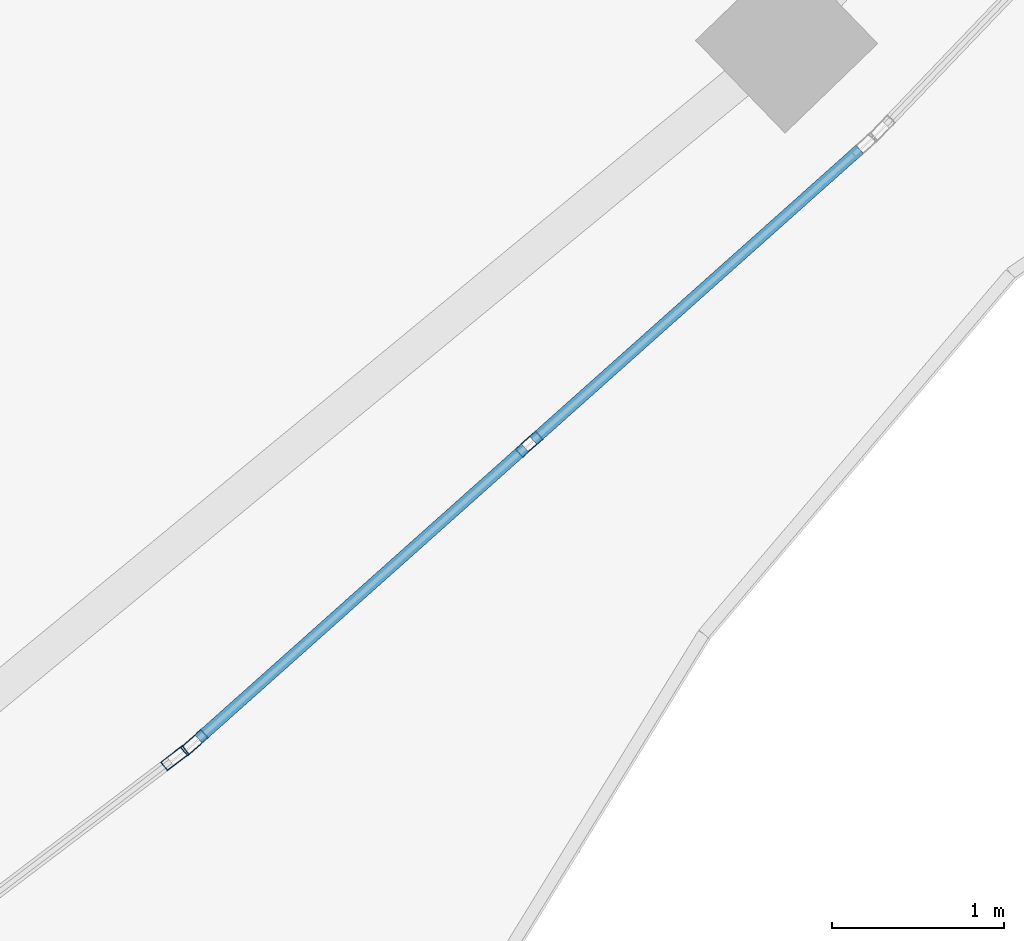
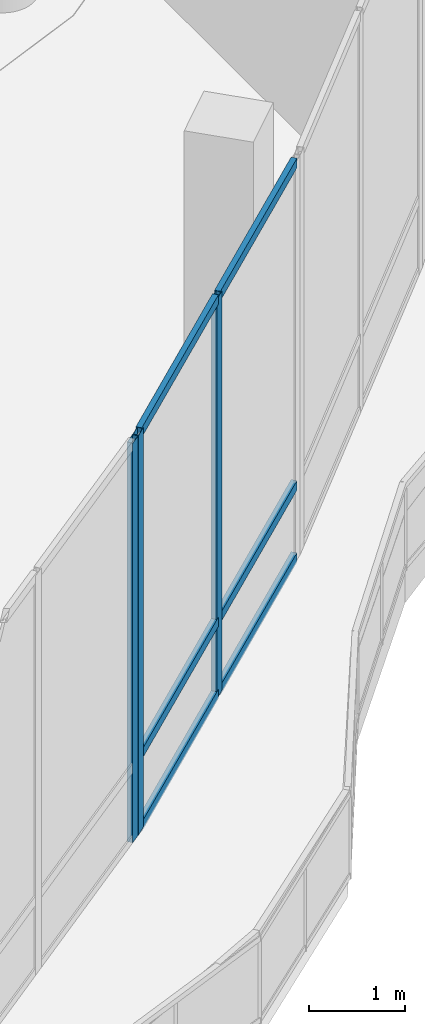
# One storey, part 48 of 158: 9 members, 2 elements without a shape of their own.
"""IFC4 building model written with IfcOpenShell, lengths in metres."""

import ifcopenshell
import ifcopenshell.guid

model = None  # the IFC model being written
_history = None  # IfcOwnerHistory: only IFC2X3 demands one
_inside = {}  # id of a spatial element -> (the spatial element, [elements in it])
_under = {}  # id of a project, library or spatial element -> (it, [spatial elements below it])
_declared = {}  # id of a project -> (the project, [libraries it declares])
_typed = {}  # id of a type object -> (the type object, [elements of that type])
_made_of = {}  # id of a material, layer set ... -> (it, [elements and type objects made of it])


def new_model(schema):
    """Start an empty IFC model of exactly this schema.

    Asked for "IFC4X3", IfcOpenShell would pick the latest addendum, in which some entities
    have other attributes; the version numbers below select the first issue.
    IFC2X3 requires an IfcOwnerHistory on every rooted entity: one is made here for all.
    """
    global model, _history
    if schema == "IFC4X3":
        model = ifcopenshell.file(schema_version=(4, 3, 0, 0))
    else:
        model = ifcopenshell.file(schema=schema)
    _inside.clear()
    _under.clear()
    _declared.clear()
    _typed.clear()
    _made_of.clear()
    _history = None
    if model.schema == "IFC2X3":
        org = make("IfcOrganization", Name="unknown")
        user = make(
            "IfcPersonAndOrganization",
            ThePerson=make("IfcPerson", FamilyName="unknown"),
            TheOrganization=org,
        )
        app = make(
            "IfcApplication",
            ApplicationDeveloper=org,
            Version="unknown",
            ApplicationFullName="unknown",
            ApplicationIdentifier="unknown",
        )
        _history = make(
            "IfcOwnerHistory",
            OwningUser=user,
            OwningApplication=app,
            ChangeAction="ADDED",
            CreationDate=0,
        )
    return model


def make(cls, **values):
    """One entity of the class cls with the attributes given. An attribute that is None is left unset."""
    return model.create_entity(
        cls, **{name: value for name, value in values.items() if value is not None}
    )


def rooted(cls, **values):
    """An entity with a GlobalId (a new one), such as an element, a storey or a relation."""
    return make(cls, GlobalId=ifcopenshell.guid.new(), OwnerHistory=_history, **values)


def si_unit(unit_type, name, prefix=None):
    """IfcSIUnit, for example si_unit("LENGTHUNIT", "METRE", prefix="MILLI")."""
    return make("IfcSIUnit", UnitType=unit_type, Prefix=prefix, Name=name)


def assignment(units):
    """IfcUnitAssignment: the units of a project."""
    return None if units is None else make("IfcUnitAssignment", Units=units)


def point(xyz):
    """IfcCartesianPoint."""
    return None if xyz is None else make("IfcCartesianPoint", Coordinates=xyz)


def direction(xyz):
    """IfcDirection."""
    return None if xyz is None else make("IfcDirection", DirectionRatios=xyz)


def frame(location, z_axis=None, x_axis=None):
    """IfcAxis2Placement3D, a coordinate frame: its origin and axes. An axis left out is left unset."""
    return make(
        "IfcAxis2Placement3D",
        Location=point(location),
        Axis=direction(z_axis),
        RefDirection=direction(x_axis),
    )


def frame_2d(location, x_axis=None):
    """IfcAxis2Placement2D, a coordinate frame in the plane: its origin and x axis."""
    return make(
        "IfcAxis2Placement2D", Location=point(location), RefDirection=direction(x_axis)
    )


def origin():
    """The frame at (0, 0, 0) with its axes left unset."""
    return frame((0.0, 0.0, 0.0))


def origin_2d():
    """The frame at (0, 0) in the plane with its x axis left unset."""
    return frame_2d((0.0, 0.0))


def place(relative_to, where):
    """IfcLocalPlacement: puts the frame where relative to a parent placement (None: the world)."""
    return make(
        "IfcLocalPlacement", PlacementRelTo=relative_to, RelativePlacement=where
    )


def context(
    kind, dimensions, precision=None, world=None, true_north=None, identifier=None
):
    """IfcGeometricRepresentationContext, for example the 3D "Model" context."""
    return make(
        "IfcGeometricRepresentationContext",
        ContextIdentifier=identifier,
        ContextType=kind,
        CoordinateSpaceDimension=dimensions,
        Precision=precision,
        WorldCoordinateSystem=world,
        TrueNorth=true_north,
    )


def subcontext(parent, identifier, kind, view, scale=None):
    """IfcGeometricRepresentationSubContext, for example "Body" below "Model"."""
    return make(
        "IfcGeometricRepresentationSubContext",
        ContextIdentifier=identifier,
        ContextType=kind,
        ParentContext=parent,
        TargetScale=scale,
        TargetView=view,
    )


def project(units=None, contexts=None):
    """IfcProject with its units and contexts."""
    return rooted(
        "IfcProject",
        Name="project",
        RepresentationContexts=contexts,
        UnitsInContext=assignment(units),
    )


def spatial(cls, under=None, at=None, **own):
    """A site, building, storey or space (cls), placed at a placement, below another one or the project."""
    s = rooted(cls, ObjectPlacement=at, **own)
    if under is not None:
        _under.setdefault(under.id(), (under, []))[1].append(s)
    return s


def profile(cls, at=None, kind="AREA", **sizes):
    """A parametric profile (cls). Its sizes go by their IFC names, for example OverallWidth=200.0."""
    return make(cls, ProfileType=kind, Position=at, **sizes)


def hollow_rectangle(**sizes):
    """IfcRectangleHollowProfileDef."""
    return profile("IfcRectangleHollowProfileDef", **sizes)


def extrude(swept, where, along, depth):
    """IfcExtrudedAreaSolid: the profile swept, set in the frame where, extruded along a direction by depth."""
    return make(
        "IfcExtrudedAreaSolid",
        SweptArea=swept,
        Position=where,
        ExtrudedDirection=direction(along),
        Depth=depth,
    )


def shape(context_of_items, identifier, shape_type, items):
    """IfcShapeRepresentation: the items that make up one representation, for example the "Body"."""
    return make(
        "IfcShapeRepresentation",
        ContextOfItems=context_of_items,
        RepresentationIdentifier=identifier,
        RepresentationType=shape_type,
        Items=items,
    )


def material(Name=None, Category=None):
    """IfcMaterial."""
    return make("IfcMaterial", Name=Name, Category=Category)


def material_profile(
    of_material, cross_section, Name=None, Category=None, Priority=None
):
    """IfcMaterialProfile: a cross section and its material."""
    return make(
        "IfcMaterialProfile",
        Name=Name,
        Material=of_material,
        Profile=cross_section,
        Priority=Priority,
        Category=Category,
    )


def profile_set(profiles, Name=None, composite=None):
    """IfcMaterialProfileSet."""
    return make(
        "IfcMaterialProfileSet",
        Name=Name,
        MaterialProfiles=profiles,
        CompositeProfile=composite,
    )


def made_of(thing, what):
    """Note that an element or type object is made of a material, layer set ...; save() writes the relation."""
    if what is not None:
        _made_of.setdefault(what.id(), (what, []))[1].append(thing)
    return thing


def type_object(cls, material=None, **own):
    """A type object (cls), such as IfcWallType, which elements share."""
    return made_of(rooted(cls, **own), material)


def element(
    cls,
    number,
    at=None,
    inside=None,
    cuts=None,
    type_object=None,
    material=None,
    context=None,
    identifier="Body",
    shape_type=None,
    held_by="IfcProductDefinitionShape",
    body=None,
    shapes=None,
    **own,
):
    """One element of the class cls, such as IfcWall. Its Tag is "e" and its number.

    at: its placement. inside: the storey or other place that contains it. cuts: it is an
    opening in that element (IfcRelVoidsElement). A single representation is given by context,
    identifier, shape_type and body (its items); several are given by shapes. held_by: the class
    of the entity that holds the representations. save() writes the other relations.
    """
    e = rooted(cls, Tag="e%d" % number, ObjectPlacement=at, **own)
    if body is not None:
        shapes = [shape(context, identifier, shape_type, body)]
    if shapes is not None:
        e.Representation = make(held_by, Representations=shapes)
    if inside is not None:
        _inside.setdefault(inside.id(), (inside, []))[1].append(e)
    if cuts is not None:
        rooted(
            "IfcRelVoidsElement", RelatingBuildingElement=cuts, RelatedOpeningElement=e
        )
    if type_object is not None:
        _typed.setdefault(type_object.id(), (type_object, []))[1].append(e)
    return made_of(e, material)


def aggregate(whole, parts):
    """IfcRelAggregates: a whole, such as a stair, and the parts it consists of."""
    return rooted("IfcRelAggregates", RelatingObject=whole, RelatedObjects=parts)


def save(model, path):
    """Write the relations noted so far, then the file.

    IfcRelAggregates (storeys below a building ...), IfcRelContainedInSpatialStructure (elements
    in a storey), IfcRelDefinesByType, IfcRelAssociatesMaterial and IfcRelDeclares: one each for
    every whole, place, type object, material and project.
    """
    for whole, parts in _under.values():
        aggregate(whole, parts)
    for where, things in _inside.values():
        rooted(
            "IfcRelContainedInSpatialStructure",
            RelatedElements=things,
            RelatingStructure=where,
        )
    for kind, things in _typed.values():
        rooted("IfcRelDefinesByType", RelatedObjects=things, RelatingType=kind)
    for what, things in _made_of.values():
        rooted("IfcRelAssociatesMaterial", RelatedObjects=things, RelatingMaterial=what)
    for by, libraries in _declared.values():
        rooted("IfcRelDeclares", RelatingContext=by, RelatedDefinitions=libraries)
    model.write(path)


model = new_model("IFC4")

# Units and contexts
model_context = context("Model", 3, precision=1e-05, world=origin(), true_north=direction((0.0, 1.0)))
body_context = subcontext(model_context, "Body", "Model", "MODEL_VIEW")
ifc_project = project(units=[si_unit("LENGTHUNIT", "METRE"), si_unit("AREAUNIT", "SQUARE_METRE"), si_unit("VOLUMEUNIT", "CUBIC_METRE"), si_unit("PLANEANGLEUNIT", "RADIAN"), si_unit("MASSUNIT", "GRAM", prefix="KILO")], contexts=[model_context])

# Site, building, storey
site_placement = place(None, origin())
site = spatial("IfcSite", under=ifc_project, at=site_placement, CompositionType="ELEMENT")
building_placement = place(site_placement, origin())
building = spatial("IfcBuilding", under=site, at=building_placement, Name="Selatvlak General Hospital", CompositionType="ELEMENT")
storey_placement = place(building_placement, origin())
storey = spatial("IfcBuildingStorey", under=building, at=storey_placement, Name="L00", CompositionType="ELEMENT", Elevation=0.0)

# Curtain wall, members
ifc_material_1 = material(Name="Solar-control Low-E double glazing", Category="glass")
curtain_wall_type_1 = type_object("IfcCurtainWallType", Name="CW-CW-01", PredefinedType="USERDEFINED", material=ifc_material_1)
curtain_wall_1_placement = place(storey_placement, origin())
curtain_wall_1 = element("IfcCurtainWall", 1, at=curtain_wall_1_placement, inside=storey, type_object=curtain_wall_type_1, Name="Glazed facade curtain wall CW-L00-0045", ObjectType="UNITISED CURTAIN WALL", PredefinedType="USERDEFINED")
ifc_material_2 = material(Name="Dark anodised aluminium mullion", Category="aluminium")
ifc_material_profile_1 = material_profile(ifc_material_2, hollow_rectangle(XDim=0.06494140625, YDim=0.159912109375, WallThickness=0.00390625, at=origin_2d()), Name="AL-MUL 65x160x4")
ifc_profile_set_1 = profile_set([ifc_material_profile_1], Name="Dark anodised aluminium mullion")
member_type_1 = type_object("IfcMemberType", Name="CWM-01", PredefinedType="MULLION", material=ifc_profile_set_1)
member_1_placement = place(storey_placement, frame((100.884521484375, 29.156982421875, 0.0), z_axis=(0.0, 0.0, 1.0), x_axis=(0.665560736735, -0.746343691417, 0.0)))
member_1 = element("IfcMember", 2, at=member_1_placement, type_object=member_type_1, Name="CW-01 mullion 2", PredefinedType="MULLION", context=body_context, shape_type="SweptSolid", body=[
    extrude(hollow_rectangle(XDim=0.06494140625, YDim=0.159912109375, WallThickness=0.00390625, at=origin_2d()), origin(), (0.0, 0.0, 1.0), 5.080078125),
])
member_2_placement = place(storey_placement, frame((98.936279296875, 27.419677734375, 0.0), z_axis=(0.0, 0.0, 1.0), x_axis=(0.665560736735, -0.746343691417, 0.0)))
member_2 = element("IfcMember", 3, at=member_2_placement, type_object=member_type_1, Name="CW-01 mullion 3", PredefinedType="MULLION", context=body_context, shape_type="SweptSolid", body=[
    extrude(hollow_rectangle(XDim=0.06494140625, YDim=0.159912109375, WallThickness=0.00390625, at=origin_2d()), origin(), (0.0, 0.0, 1.0), 5.080078125),
])

# Curtain wall, member
curtain_wall_type_2 = type_object("IfcCurtainWallType", Name="CW-CW-02", PredefinedType="USERDEFINED", material=ifc_material_1)
curtain_wall_2_placement = place(storey_placement, origin())
curtain_wall_2 = element("IfcCurtainWall", 4, at=curtain_wall_2_placement, inside=storey, type_object=curtain_wall_type_2, Name="Glazed facade curtain wall CW-L00-0046", ObjectType="UNITISED CURTAIN WALL", PredefinedType="USERDEFINED")
member_3_placement = place(storey_placement, frame((98.822998046875, 27.329345703125, 0.0), z_axis=(0.0, 0.0, 1.0), x_axis=(0.60458927489, -0.796537386874, 0.0)))
member_3 = element("IfcMember", 5, at=member_3_placement, type_object=member_type_1, Name="CW-02 mullion 1", PredefinedType="MULLION", context=body_context, shape_type="SweptSolid", body=[
    extrude(hollow_rectangle(XDim=0.06494140625, YDim=0.159912109375, WallThickness=0.00390625, at=origin_2d()), origin(), (0.0, 0.0, 1.0), 5.080078125),
])
aggregate(curtain_wall_2, [member_3])

# Member
ifc_material_profile_2 = material_profile(ifc_material_2, hollow_rectangle(XDim=0.06494140625, YDim=0.1201171875, WallThickness=0.00390625, at=origin_2d()), Name="AL-TRN 65x120x4")
ifc_profile_set_2 = profile_set([ifc_material_profile_2], Name="Dark anodised aluminium mullion")
member_type_2 = type_object("IfcMemberType", Name="CWT-01", PredefinedType="USERDEFINED", material=ifc_profile_set_2)
member_4_placement = place(storey_placement, frame((102.80859375, 30.872802734375, 0.032470703125), z_axis=(-0.746376551061, -0.665523886894, 0.0), x_axis=(0.665523886894, -0.746376551061, 0.0)))
member_4 = element("IfcMember", 6, at=member_4_placement, type_object=member_type_2, Name="CW-01 transom 1.1", ObjectType="TRANSOM", PredefinedType="USERDEFINED", context=body_context, shape_type="SweptSolid", body=[
    extrude(hollow_rectangle(XDim=0.06494140625, YDim=0.1201171875, WallThickness=0.00390625, at=origin_2d()), origin(), (0.0, 0.0, 1.0), 2.54541015625),
])

member_5_placement = place(storey_placement, frame((102.80859375, 30.872802734375, 0.949951171875), z_axis=(-0.746376551061, -0.665523886894, 0.0), x_axis=(0.665523886894, -0.746376551061, 0.0)))
member_5 = element("IfcMember", 7, at=member_5_placement, type_object=member_type_2, Name="CW-01 transom 1.2", ObjectType="TRANSOM", PredefinedType="USERDEFINED", context=body_context, shape_type="SweptSolid", body=[
    extrude(hollow_rectangle(XDim=0.06494140625, YDim=0.1201171875, WallThickness=0.00390625, at=origin_2d()), origin(), (0.0, 0.0, 1.0), 2.54541015625),
])

member_6_placement = place(storey_placement, frame((102.80859375, 30.872802734375, 5.047607421875), z_axis=(-0.746376551061, -0.665523886894, 0.0), x_axis=(0.665523886894, -0.746376551061, 0.0)))
member_6 = element("IfcMember", 8, at=member_6_placement, type_object=member_type_2, Name="CW-01 transom 1.3", ObjectType="TRANSOM", PredefinedType="USERDEFINED", context=body_context, shape_type="SweptSolid", body=[
    extrude(hollow_rectangle(XDim=0.06494140625, YDim=0.1201171875, WallThickness=0.00390625, at=origin_2d()), origin(), (0.0, 0.0, 1.0), 2.54541015625),
])

member_7_placement = place(storey_placement, frame((100.8603515625, 29.13525390625, 0.032470703125), z_axis=(-0.746376551061, -0.665523886894, 0.0), x_axis=(0.665523886894, -0.746376551061, 0.0)))
member_7 = element("IfcMember", 9, at=member_7_placement, type_object=member_type_2, Name="CW-01 transom 2.1", ObjectType="TRANSOM", PredefinedType="USERDEFINED", context=body_context, shape_type="SweptSolid", body=[
    extrude(hollow_rectangle(XDim=0.06494140625, YDim=0.1201171875, WallThickness=0.00390625, at=origin_2d()), origin(), (0.0, 0.0, 1.0), 2.54541015625),
])

member_8_placement = place(storey_placement, frame((100.8603515625, 29.13525390625, 0.949951171875), z_axis=(-0.746376551061, -0.665523886894, 0.0), x_axis=(0.665523886894, -0.746376551061, 0.0)))
member_8 = element("IfcMember", 10, at=member_8_placement, type_object=member_type_2, Name="CW-01 transom 2.2", ObjectType="TRANSOM", PredefinedType="USERDEFINED", context=body_context, shape_type="SweptSolid", body=[
    extrude(hollow_rectangle(XDim=0.06494140625, YDim=0.1201171875, WallThickness=0.00390625, at=origin_2d()), origin(), (0.0, 0.0, 1.0), 2.54541015625),
])

member_9_placement = place(storey_placement, frame((100.8603515625, 29.13525390625, 5.047607421875), z_axis=(-0.746376551061, -0.665523886894, 0.0), x_axis=(0.665523886894, -0.746376551061, 0.0)))
member_9 = element("IfcMember", 11, at=member_9_placement, type_object=member_type_2, Name="CW-01 transom 2.3", ObjectType="TRANSOM", PredefinedType="USERDEFINED", context=body_context, shape_type="SweptSolid", body=[
    extrude(hollow_rectangle(XDim=0.06494140625, YDim=0.1201171875, WallThickness=0.00390625, at=origin_2d()), origin(), (0.0, 0.0, 1.0), 2.54541015625),
])

aggregate(curtain_wall_1, [member_1, member_2, member_4, member_5, member_6, member_7, member_8, member_9])

save(model, "model.ifc")
